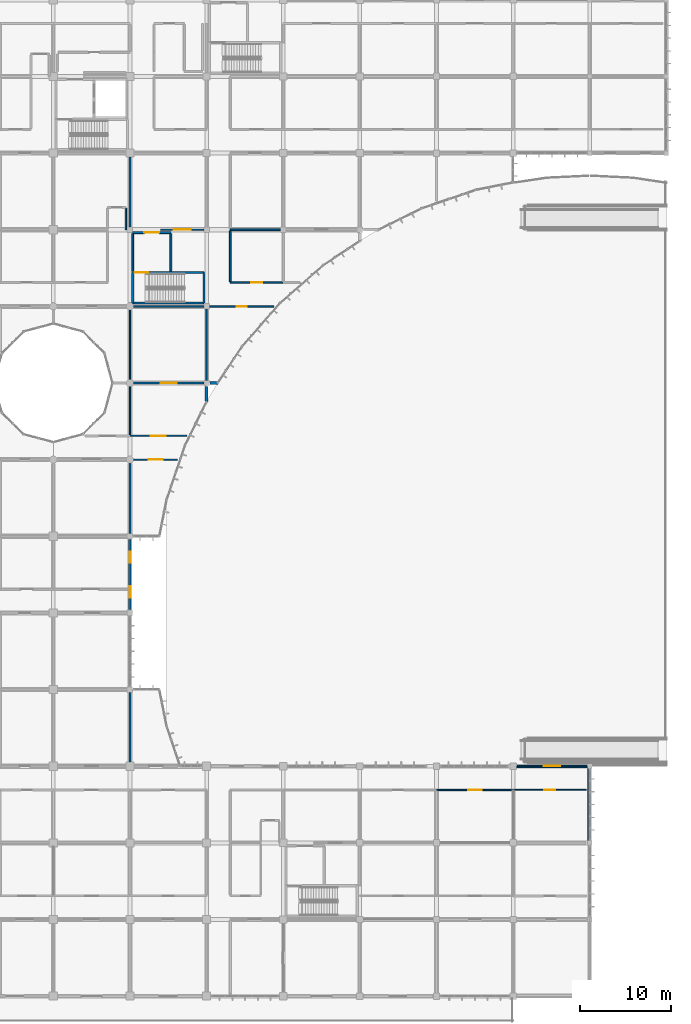
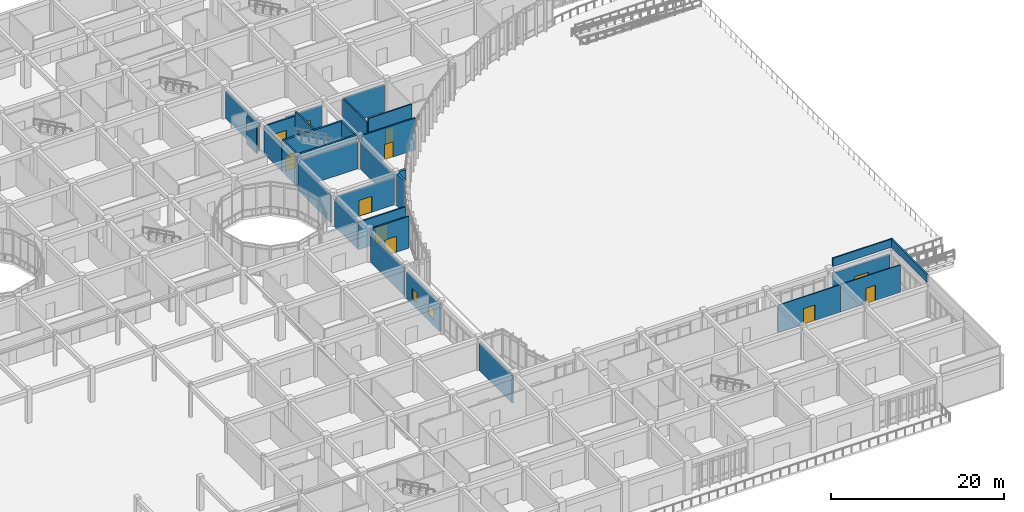
# One storey, part 109 of 138: 31 walls, 11 doors, 2 windows, 13 openings.
"""IFC4 building model written with IfcOpenShell, lengths in metres."""

from ifc_helpers import new_model, si_unit, direction, frame, frame_2d, origin, place, context, subcontext, project, spatial, rectangle, extrude, material, layer, layer_set, type_object, element, fill, save


model = new_model("IFC4")

# Units and contexts
model_context = context("Model", 3, precision=1e-05, world=origin(), true_north=direction((0.0, 1.0)))
body_context = subcontext(model_context, "Body", "Model", "MODEL_VIEW")
ifc_project = project(units=[si_unit("LENGTHUNIT", "METRE"), si_unit("AREAUNIT", "SQUARE_METRE"), si_unit("VOLUMEUNIT", "CUBIC_METRE"), si_unit("PLANEANGLEUNIT", "RADIAN"), si_unit("MASSUNIT", "GRAM", prefix="KILO")], contexts=[model_context])

# Site, building, storey
site_placement = place(None, origin())
site = spatial("IfcSite", under=ifc_project, at=site_placement, CompositionType="ELEMENT")
building_placement = place(site_placement, origin())
building = spatial("IfcBuilding", under=site, at=building_placement, Name="Bramfleet General Hospital", CompositionType="ELEMENT")
storey_placement = place(building_placement, origin())
storey = spatial("IfcBuildingStorey", under=building, at=storey_placement, Name="L00", CompositionType="ELEMENT", Elevation=0.0)

# Walls
ifc_material_1 = material(Name="Precast concrete C40/50", Category="concrete")
ifc_layer_1 = layer(ifc_material_1, 0.31494140625, Name="WT-EW-04")
ifc_layer_set_1 = layer_set([ifc_layer_1], Name="Precast concrete C40/50")
wall_type_1 = type_object("IfcWallType", Name="WT-EW-04", PredefinedType="SOLIDWALL", material=ifc_layer_set_1)
wall_1_placement = place(storey_placement, frame((135.633056640625, 67.199951171875, 0.0), z_axis=(0.0, 0.0, 1.0), x_axis=(-1.0, 0.0, 0.0)))
element("IfcWall", 1, at=wall_1_placement, inside=storey, type_object=wall_type_1, Name="L00 Exterior Wall 128", PredefinedType="SOLIDWALL", context=body_context, shape_type="SweptSolid", body=[
    extrude(rectangle(XDim=0.858154296875, YDim=0.31494140625, at=frame_2d((0.42919921875, 0.0))), origin(), (0.0, 0.0, 1.0), 4.489990234375),
])
ifc_layer_2 = layer(ifc_material_1, 0.294921875, Name="WT-EW-05")
ifc_layer_set_2 = layer_set([ifc_layer_2], Name="Precast concrete C40/50")
wall_type_2 = type_object("IfcWallType", Name="WT-EW-05", PredefinedType="SOLIDWALL", material=ifc_layer_set_2)
wall_2_placement = place(storey_placement, frame((134.39990234375, 66.824951171875, 0.0), z_axis=(0.0, 0.0, 1.0), x_axis=(0.0, -1.0, 0.0)))
element("IfcWall", 2, at=wall_2_placement, inside=storey, type_object=wall_type_2, Name="L00 Exterior Wall 129", PredefinedType="SOLIDWALL", context=body_context, shape_type="SweptSolid", body=[
    extrude(rectangle(XDim=1.698974609375, YDim=0.294921875, at=frame_2d((0.849609375, 0.0))), origin(), (0.0, 0.0, 1.0), 4.489990234375),
])

# Wall, openings, windows
ifc_layer_3 = layer(ifc_material_1, 0.280029296875, Name="WT-EW-06")
ifc_layer_set_3 = layer_set([ifc_layer_3], Name="Precast concrete C40/50")
wall_type_3 = type_object("IfcWallType", Name="WT-EW-06", PredefinedType="SOLIDWALL", material=ifc_layer_set_3)
wall_3_placement = place(storey_placement, frame((126.0, 50.02490234375, 0.0), z_axis=(0.0, 0.0, 1.0), x_axis=(0.0, -1.0, 0.0)))
wall_3 = element("IfcWall", 3, at=wall_3_placement, inside=storey, type_object=wall_type_3, Name="L00 Exterior Wall 130", PredefinedType="SOLIDWALL", context=body_context, shape_type="SweptSolid", body=[
    extrude(rectangle(XDim=7.64990234375, YDim=0.280029296875, at=frame_2d((3.824951171875, 0.0))), origin(), (0.0, 0.0, 1.0), 3.7900390625),
])
opening_1_placement = place(wall_3_placement, frame((1.3125, 0.0, 0.85009765625)))
opening_1 = element("IfcOpeningElement", 4, at=opening_1_placement, cuts=wall_3, Name="Opening W-13", PredefinedType="OPENING", context=body_context, shape_type="SweptSolid", body=[
    extrude(rectangle(XDim=1.199951171875, YDim=1.419921875, at=frame_2d((0.60009765625, 0.7099609375))), frame((0.0, 0.14990234375, 0.0), z_axis=(0.0, -1.0, 0.0), x_axis=(1.0, 0.0, 0.0)), (0.0, 0.0, 1.0), 0.300048828125),
])
opening_2_placement = place(wall_3_placement, frame((5.08740234375, 0.0, 0.85009765625)))
opening_2 = element("IfcOpeningElement", 5, at=opening_2_placement, cuts=wall_3, Name="Opening W-14", PredefinedType="OPENING", context=body_context, shape_type="SweptSolid", body=[
    extrude(rectangle(XDim=1.300048828125, YDim=1.419921875, at=frame_2d((0.64990234375, 0.7099609375))), frame((0.0, 0.14990234375, 0.0), z_axis=(0.0, -1.0, 0.0), x_axis=(1.0, 0.0, 0.0)), (0.0, 0.0, 1.0), 0.300048828125),
])
ifc_material_2 = material(Name="Anodised aluminium and low-E triple glazing", Category="aluminium")
window_type_1 = type_object("IfcWindowType", Name="WIN-W-13", PartitioningType="SINGLE_PANEL", PredefinedType="WINDOW", material=ifc_material_2)
window_1_placement = place(opening_1_placement, origin())
window_1 = element("IfcWindow", 6, at=window_1_placement, inside=storey, type_object=window_type_1, Name="L00 Facade Window WIN-L00-130-1", OverallHeight=1.419921875, OverallWidth=1.199951171875, PartitioningType="SINGLE_PANEL", PredefinedType="WINDOW", context=body_context, shape_type="SweptSolid", body=[
    extrude(rectangle(XDim=1.199951171875, YDim=1.419921875, at=frame_2d((0.60009765625, 0.7099609375))), frame((0.0, 0.030029296875, 0.0), z_axis=(0.0, -1.0, 0.0), x_axis=(1.0, 0.0, 0.0)), (0.0, 0.0, 1.0), 0.06005859375),
])
fill(opening_1, window_1)
window_type_2 = type_object("IfcWindowType", Name="WIN-W-14", PartitioningType="SINGLE_PANEL", PredefinedType="WINDOW", material=ifc_material_2)
window_2_placement = place(opening_2_placement, origin())
window_2 = element("IfcWindow", 7, at=window_2_placement, inside=storey, type_object=window_type_2, Name="L00 Facade Window WIN-L00-130-2", OverallHeight=1.419921875, OverallWidth=1.300048828125, PartitioningType="SINGLE_PANEL", PredefinedType="WINDOW", context=body_context, shape_type="SweptSolid", body=[
    extrude(rectangle(XDim=1.300048828125, YDim=1.419921875, at=frame_2d((0.64990234375, 0.7099609375))), frame((0.0, 0.030029296875, 0.0), z_axis=(0.0, -1.0, 0.0), x_axis=(1.0, 0.0, 0.0)), (0.0, 0.0, 1.0), 0.06005859375),
])
fill(opening_2, window_2)

# Wall, opening, door
ifc_layer_4 = layer(ifc_material_1, 0.235107421875, Name="WT-EW-09")
ifc_layer_set_4 = layer_set([ifc_layer_4], Name="Precast concrete C40/50")
wall_type_4 = type_object("IfcWallType", Name="WT-EW-09", PredefinedType="SOLIDWALL", material=ifc_layer_set_4)
wall_4_placement = place(storey_placement, frame((168.425048828125, 25.199951171875, 0.0), z_axis=(0.0, 0.0, 1.0), x_axis=(1.0, 0.0, 0.0)))
wall_4 = element("IfcWall", 8, at=wall_4_placement, inside=storey, type_object=wall_type_4, Name="L00 Exterior Wall 133", PredefinedType="SOLIDWALL", context=body_context, shape_type="SweptSolid", body=[
    extrude(rectangle(XDim=7.64990234375, YDim=0.235107421875, at=frame_2d((3.824951171875, 0.0))), origin(), (0.0, 0.0, 1.0), 3.7900390625),
])
opening_3_placement = place(wall_4_placement, frame((2.9150390625, 0.0, 0.0)))
opening_3 = element("IfcOpeningElement", 9, at=opening_3_placement, cuts=wall_4, Name="Opening D-L00-TER-027", PredefinedType="OPENING", context=body_context, shape_type="SweptSolid", body=[
    extrude(rectangle(XDim=1.820068359375, YDim=2.280029296875, at=frame_2d((0.91015625, 1.14013671875))), frame((0.0, 0.12744140625, 0.0), z_axis=(0.0, -1.0, 0.0), x_axis=(1.0, 0.0, 0.0)), (0.0, 0.0, 1.0), 0.255126953125),
])
ifc_material_3 = material(Name="Thermally broken steel and laminated safety glass", Category="steel")
door_type_1 = type_object("IfcDoorType", Name="DR-ED-02", OperationType="NOTDEFINED", PredefinedType="DOOR", material=ifc_material_3)
door_1_placement = place(opening_3_placement, origin())
door_1 = element("IfcDoor", 10, at=door_1_placement, inside=storey, type_object=door_type_1, Name="L00 Terrace Pedestrian Access Door D-L00-TER-027", OperationType="SINGLE_SWING_RIGHT", OverallHeight=2.280029296875, OverallWidth=1.820068359375, PredefinedType="DOOR", context=body_context, shape_type="SweptSolid", body=[
    extrude(rectangle(XDim=1.820068359375, YDim=2.280029296875, at=frame_2d((0.91015625, 1.14013671875))), frame((0.0, 0.02490234375, 0.0), z_axis=(0.0, -1.0, 0.0), x_axis=(1.0, 0.0, 0.0)), (0.0, 0.0, 1.0), 0.050048828125),
])
fill(opening_3, door_1)

# Walls
ifc_material_4 = material(Name="Concrete C35/45", Category="concrete")
ifc_layer_5 = layer(ifc_material_4, 0.205078125, Name="WT-IW-02")
ifc_layer_set_5 = layer_set([ifc_layer_5], Name="Concrete C35/45")
wall_type_5 = type_object("IfcWallType", Name="WT-IW-02", PredefinedType="PARTITIONING", material=ifc_layer_set_5)
wall_5_placement = place(storey_placement, frame((130.47998046875, 79.43994140625, 0.0), z_axis=(0.0, 0.0, 1.0), x_axis=(0.0, 1.0, 0.0)))
element("IfcWall", 11, at=wall_5_placement, inside=storey, type_object=wall_type_5, Name="L00 C12 Lobby East Shaft Wall", PredefinedType="PARTITIONING", context=body_context, shape_type="SweptSolid", body=[
    extrude(rectangle(XDim=4.1201171875, YDim=0.205078125, at=frame_2d((2.06005859375, 0.0))), origin(), (0.0, 0.0, 1.0), 4.489990234375),
])
wall_6_placement = place(storey_placement, frame((126.300048828125, 79.43994140625, 0.0), z_axis=(0.0, 0.0, 1.0), x_axis=(0.0, 1.0, 0.0)))
element("IfcWall", 12, at=wall_6_placement, inside=storey, type_object=wall_type_5, Name="L00 C12 Lobby West Compartment Wall", PredefinedType="PARTITIONING", context=body_context, shape_type="SweptSolid", body=[
    extrude(rectangle(XDim=4.1201171875, YDim=0.205078125, at=frame_2d((2.06005859375, 0.0))), origin(), (0.0, 0.0, 1.0), 3.889892578125),
])

# Wall, opening, door
wall_7_placement = place(storey_placement, frame((126.300048828125, 83.679931640625, 0.0), z_axis=(0.0, 0.0, 1.0), x_axis=(1.0, 0.0, 0.0)))
wall_7 = element("IfcWall", 13, at=wall_7_placement, inside=storey, type_object=wall_type_5, Name="L00 C12 Lobby North Compartment Wall", PredefinedType="PARTITIONING", context=body_context, shape_type="SweptSolid", body=[
    extrude(rectangle(XDim=4.179931640625, YDim=0.205078125, at=frame_2d((2.08984375, 0.0))), origin(), (0.0, 0.0, 1.0), 3.840087890625),
])
opening_4_placement = place(wall_7_placement, frame((1.2900390625, 0.0, 0.0)))
opening_4 = element("IfcOpeningElement", 14, at=opening_4_placement, cuts=wall_7, Name="Opening D0158", PredefinedType="OPENING", context=body_context, shape_type="SweptSolid", body=[
    extrude(rectangle(XDim=1.60009765625, YDim=2.25, at=frame_2d((0.800048828125, 1.125))), frame((0.0, 0.112548828125, 0.0), z_axis=(0.0, -1.0, 0.0), x_axis=(1.0, 0.0, 0.0)), (0.0, 0.0, 1.0), 0.22509765625),
])
ifc_material_5 = material(Name="Stainless steel and acoustic timber leaf", Category="steel")
door_type_2 = type_object("IfcDoorType", Name="DR-D-04", OperationType="NOTDEFINED", PredefinedType="DOOR", material=ifc_material_5)
door_2_placement = place(opening_4_placement, origin())
door_2 = element("IfcDoor", 15, at=door_2_placement, inside=storey, type_object=door_type_2, Name="L00 C12 Lobby Fire Door D0158", OperationType="DOUBLE_SWING_LEFT", OverallHeight=2.25, OverallWidth=1.60009765625, PredefinedType="DOOR", context=body_context, shape_type="SweptSolid", body=[
    extrude(rectangle(XDim=1.60009765625, YDim=2.25, at=frame_2d((0.800048828125, 1.125))), frame((0.0, 0.02490234375, 0.0), z_axis=(0.0, -1.0, 0.0), x_axis=(1.0, 0.0, 0.0)), (0.0, 0.0, 1.0), 0.050048828125),
])
fill(opening_4, door_2)

ifc_layer_6 = layer(ifc_material_4, 0.179931640625, Name="WT-IW-04")
ifc_layer_set_6 = layer_set([ifc_layer_6], Name="Concrete C35/45")
wall_type_6 = type_object("IfcWallType", Name="WT-IW-04", PredefinedType="PARTITIONING", material=ifc_layer_set_6)
wall_8_placement = place(storey_placement, frame((126.39501953125, 58.800048828125, 0.0), z_axis=(0.0, 0.0, 1.0), x_axis=(1.0, 0.0, 0.0)))
wall_8 = element("IfcWall", 16, at=wall_8_placement, inside=storey, type_object=wall_type_6, Name="L00 Interior Partition IW-L00-0719", PredefinedType="PARTITIONING", context=body_context, shape_type="SweptSolid", body=[
    extrude(rectangle(XDim=4.830810546875, YDim=0.179931640625, at=frame_2d((2.41552734375, 0.0))), origin(), (0.0, 0.0, 1.0), 4.489990234375),
])
opening_5_placement = place(wall_8_placement, frame((1.6455078125, 0.0, 0.0)))
opening_5 = element("IfcOpeningElement", 17, at=opening_5_placement, cuts=wall_8, Name="Opening D0561", PredefinedType="OPENING", context=body_context, shape_type="SweptSolid", body=[
    extrude(rectangle(XDim=1.5400390625, YDim=2.239990234375, at=frame_2d((0.77001953125, 1.1201171875))), frame((0.0, 0.099853515625, 0.0), z_axis=(0.0, -1.0, 0.0), x_axis=(1.0, 0.0, 0.0)), (0.0, 0.0, 1.0), 0.199951171875),
])
door_type_3 = type_object("IfcDoorType", Name="DR-D-17", OperationType="NOTDEFINED", PredefinedType="DOOR", material=ifc_material_5)
door_3_placement = place(opening_5_placement, origin())
door_3 = element("IfcDoor", 18, at=door_3_placement, inside=storey, type_object=door_type_3, Name="Diagnostic Ultrasound and Fluoroscopy 1506 Door D0561", OperationType="SINGLE_SWING_RIGHT", OverallHeight=2.239990234375, OverallWidth=1.5400390625, PredefinedType="DOOR", context=body_context, shape_type="SweptSolid", body=[
    extrude(rectangle(XDim=1.5400390625, YDim=2.239990234375, at=frame_2d((0.77001953125, 1.1201171875))), frame((0.0, 0.02490234375, 0.0), z_axis=(0.0, -1.0, 0.0), x_axis=(1.0, 0.0, 0.0)), (0.0, 0.0, 1.0), 0.050048828125),
])
fill(opening_5, door_3)

wall_9_placement = place(storey_placement, frame((126.0, 61.39990234375, 0.0), z_axis=(0.0, 0.0, 1.0), x_axis=(1.0, 0.0, 0.0)))
wall_9 = element("IfcWall", 19, at=wall_9_placement, inside=storey, type_object=wall_type_6, Name="L00 Interior Partition IW-L00-0734", PredefinedType="PARTITIONING", context=body_context, shape_type="SweptSolid", body=[
    extrude(rectangle(XDim=6.250244140625, YDim=0.179931640625, at=frame_2d((3.125, 0.0))), origin(), (0.0, 0.0, 1.0), 3.889892578125),
])
opening_6_placement = place(wall_9_placement, frame((2.30517578125, 0.0, 0.0)))
opening_6 = element("IfcOpeningElement", 20, at=opening_6_placement, cuts=wall_9, Name="Opening D0562", PredefinedType="OPENING", context=body_context, shape_type="SweptSolid", body=[
    extrude(rectangle(XDim=1.639892578125, YDim=2.280029296875, at=frame_2d((0.81982421875, 1.14013671875))), frame((0.0, 0.099853515625, 0.0), z_axis=(0.0, -1.0, 0.0), x_axis=(1.0, 0.0, 0.0)), (0.0, 0.0, 1.0), 0.199951171875),
])
door_type_4 = type_object("IfcDoorType", Name="DR-D-18", OperationType="NOTDEFINED", PredefinedType="DOOR", material=ifc_material_5)
door_4_placement = place(opening_6_placement, origin())
door_4 = element("IfcDoor", 21, at=door_4_placement, inside=storey, type_object=door_type_4, Name="Diagnostic Ultrasound and Fluoroscopy 1507 Door D0562", OperationType="DOUBLE_SWING_LEFT", OverallHeight=2.280029296875, OverallWidth=1.639892578125, PredefinedType="DOOR", context=body_context, shape_type="SweptSolid", body=[
    extrude(rectangle(XDim=1.639892578125, YDim=2.280029296875, at=frame_2d((0.81982421875, 1.14013671875))), frame((0.0, 0.02490234375, 0.0), z_axis=(0.0, -1.0, 0.0), x_axis=(1.0, 0.0, 0.0)), (0.0, 0.0, 1.0), 0.050048828125),
])
fill(opening_6, door_4)

wall_10_placement = place(storey_placement, frame((126.39501953125, 67.199951171875, 0.0), z_axis=(0.0, 0.0, 1.0), x_axis=(1.0, 0.0, 0.0)))
wall_10 = element("IfcWall", 22, at=wall_10_placement, inside=storey, type_object=wall_type_6, Name="L00 Interior Partition IW-L00-0749", PredefinedType="PARTITIONING", context=body_context, shape_type="SweptSolid", body=[
    extrude(rectangle(XDim=7.7099609375, YDim=0.179931640625, at=frame_2d((3.85498046875, 0.0))), origin(), (0.0, 0.0, 1.0), 3.840087890625),
])
opening_7_placement = place(wall_10_placement, frame((2.985107421875, 0.0, 0.0)))
opening_7 = element("IfcOpeningElement", 23, at=opening_7_placement, cuts=wall_10, Name="Opening D0563", PredefinedType="OPENING", context=body_context, shape_type="SweptSolid", body=[
    extrude(rectangle(XDim=1.739990234375, YDim=2.239990234375, at=frame_2d((0.8701171875, 1.1201171875))), frame((0.0, 0.099853515625, 0.0), z_axis=(0.0, -1.0, 0.0), x_axis=(1.0, 0.0, 0.0)), (0.0, 0.0, 1.0), 0.199951171875),
])
door_type_5 = type_object("IfcDoorType", Name="DR-D-19", OperationType="NOTDEFINED", PredefinedType="DOOR", material=ifc_material_5)
door_5_placement = place(opening_7_placement, origin())
door_5 = element("IfcDoor", 24, at=door_5_placement, inside=storey, type_object=door_type_5, Name="Diagnostic Ultrasound and Fluoroscopy 1508 Door D0563", OperationType="DOUBLE_SWING_RIGHT", OverallHeight=2.239990234375, OverallWidth=1.739990234375, PredefinedType="DOOR", context=body_context, shape_type="SweptSolid", body=[
    extrude(rectangle(XDim=1.739990234375, YDim=2.239990234375, at=frame_2d((0.8701171875, 1.1201171875))), frame((0.0, 0.02490234375, 0.0), z_axis=(0.0, -1.0, 0.0), x_axis=(1.0, 0.0, 0.0)), (0.0, 0.0, 1.0), 0.050048828125),
])
fill(opening_7, door_5)

# Wall
wall_11_placement = place(storey_placement, frame((126.39501953125, 75.60009765625, 0.0), z_axis=(0.0, 0.0, 1.0), x_axis=(1.0, 0.0, 0.0)))
element("IfcWall", 25, at=wall_11_placement, inside=storey, type_object=wall_type_6, Name="L00 Interior Partition IW-L00-0762", PredefinedType="PARTITIONING", context=body_context, shape_type="SweptSolid", body=[
    extrude(rectangle(XDim=7.7099609375, YDim=0.179931640625, at=frame_2d((3.85498046875, 0.0))), origin(), (0.0, 0.0, 1.0), 3.840087890625),
])

# Wall, opening, door
wall_12_placement = place(storey_placement, frame((134.695068359375, 75.60009765625, 0.0), z_axis=(0.0, 0.0, 1.0), x_axis=(1.0, 0.0, 0.0)))
wall_12 = element("IfcWall", 26, at=wall_12_placement, inside=storey, type_object=wall_type_6, Name="L00 Interior Partition IW-L00-0763", PredefinedType="PARTITIONING", context=body_context, shape_type="SweptSolid", body=[
    extrude(rectangle(XDim=7.092529296875, YDim=0.179931640625, at=frame_2d((3.54638671875, 0.0))), origin(), (0.0, 0.0, 1.0), 4.489990234375),
])
opening_8_placement = place(wall_12_placement, frame((2.986328125, 0.0, 0.0)))
opening_8 = element("IfcOpeningElement", 27, at=opening_8_placement, cuts=wall_12, Name="Opening D0571", PredefinedType="OPENING", context=body_context, shape_type="SweptSolid", body=[
    extrude(rectangle(XDim=1.1201171875, YDim=2.179931640625, at=frame_2d((0.56005859375, 1.08984375))), frame((0.0, 0.099853515625, 0.0), z_axis=(0.0, -1.0, 0.0), x_axis=(1.0, 0.0, 0.0)), (0.0, 0.0, 1.0), 0.199951171875),
])
door_type_6 = type_object("IfcDoorType", Name="DR-D-27", OperationType="NOTDEFINED", PredefinedType="DOOR", material=ifc_material_5)
door_6_placement = place(opening_8_placement, origin())
door_6 = element("IfcDoor", 28, at=door_6_placement, inside=storey, type_object=door_type_6, Name="Diagnostic Ultrasound and Fluoroscopy 1608 Door D0571", OperationType="SINGLE_SWING_RIGHT", OverallHeight=2.179931640625, OverallWidth=1.1201171875, PredefinedType="DOOR", context=body_context, shape_type="SweptSolid", body=[
    extrude(rectangle(XDim=1.1201171875, YDim=2.179931640625, at=frame_2d((0.56005859375, 1.08984375))), frame((0.0, 0.02490234375, 0.0), z_axis=(0.0, -1.0, 0.0), x_axis=(1.0, 0.0, 0.0)), (0.0, 0.0, 1.0), 0.050048828125),
])
fill(opening_8, door_6)

wall_13_placement = place(storey_placement, frame((137.0, 78.199951171875, 0.0), z_axis=(0.0, 0.0, 1.0), x_axis=(1.0, 0.0, 0.0)))
wall_13 = element("IfcWall", 29, at=wall_13_placement, inside=storey, type_object=wall_type_6, Name="L00 Interior Partition IW-L00-0779", PredefinedType="PARTITIONING", context=body_context, shape_type="SweptSolid", body=[
    extrude(rectangle(XDim=5.800048828125, YDim=0.179931640625, at=frame_2d((2.89990234375, 0.0))), origin(), (0.0, 0.0, 1.0), 4.489990234375),
])
opening_9_placement = place(wall_13_placement, frame((2.31005859375, 0.0, 0.0)))
opening_9 = element("IfcOpeningElement", 30, at=opening_9_placement, cuts=wall_13, Name="Opening D0572", PredefinedType="OPENING", context=body_context, shape_type="SweptSolid", body=[
    extrude(rectangle(XDim=1.179931640625, YDim=2.179931640625, at=frame_2d((0.58984375, 1.08984375))), frame((0.0, 0.099853515625, 0.0), z_axis=(0.0, -1.0, 0.0), x_axis=(1.0, 0.0, 0.0)), (0.0, 0.0, 1.0), 0.199951171875),
])
door_type_7 = type_object("IfcDoorType", Name="DR-D-28", OperationType="NOTDEFINED", PredefinedType="DOOR", material=ifc_material_5)
door_7_placement = place(opening_9_placement, origin())
door_7 = element("IfcDoor", 31, at=door_7_placement, inside=storey, type_object=door_type_7, Name="Diagnostic Ultrasound and Fluoroscopy 1609 Door D0572", OperationType="SINGLE_SWING_LEFT", OverallHeight=2.179931640625, OverallWidth=1.179931640625, PredefinedType="DOOR", context=body_context, shape_type="SweptSolid", body=[
    extrude(rectangle(XDim=1.179931640625, YDim=2.179931640625, at=frame_2d((0.58984375, 1.08984375))), frame((0.0, 0.02490234375, 0.0), z_axis=(0.0, -1.0, 0.0), x_axis=(1.0, 0.0, 0.0)), (0.0, 0.0, 1.0), 0.050048828125),
])
fill(opening_9, door_7)

wall_14_placement = place(storey_placement, frame((129.35009765625, 84.0, 0.0), z_axis=(0.0, 0.0, 1.0), x_axis=(1.0, 0.0, 0.0)))
wall_14 = element("IfcWall", 32, at=wall_14_placement, inside=storey, type_object=wall_type_6, Name="L00 Interior Partition IW-L00-0796", PredefinedType="PARTITIONING", context=body_context, shape_type="SweptSolid", body=[
    extrude(rectangle(XDim=4.7548828125, YDim=0.179931640625, at=frame_2d((2.37744140625, 0.0))), origin(), (0.0, 0.0, 1.0), 3.840087890625),
])
opening_10_placement = place(wall_14_placement, frame((1.45751953125, 0.0, 0.0)))
opening_10 = element("IfcOpeningElement", 33, at=opening_10_placement, cuts=wall_14, Name="Opening D0564", PredefinedType="OPENING", context=body_context, shape_type="SweptSolid", body=[
    extrude(rectangle(XDim=1.840087890625, YDim=2.280029296875, at=frame_2d((0.919921875, 1.14013671875))), frame((0.0, 0.099853515625, 0.0), z_axis=(0.0, -1.0, 0.0), x_axis=(1.0, 0.0, 0.0)), (0.0, 0.0, 1.0), 0.199951171875),
])
door_type_8 = type_object("IfcDoorType", Name="DR-D-20", OperationType="NOTDEFINED", PredefinedType="DOOR", material=ifc_material_5)
door_8_placement = place(opening_10_placement, origin())
door_8 = element("IfcDoor", 34, at=door_8_placement, inside=storey, type_object=door_type_8, Name="Diagnostic Ultrasound and Fluoroscopy 1510 Door D0564", OperationType="DOUBLE_SWING_LEFT", OverallHeight=2.280029296875, OverallWidth=1.840087890625, PredefinedType="DOOR", context=body_context, shape_type="SweptSolid", body=[
    extrude(rectangle(XDim=1.840087890625, YDim=2.280029296875, at=frame_2d((0.919921875, 1.14013671875))), frame((0.0, 0.02490234375, 0.0), z_axis=(0.0, -1.0, 0.0), x_axis=(1.0, 0.0, 0.0)), (0.0, 0.0, 1.0), 0.050048828125),
])
fill(opening_10, door_8)

# Walls
wall_15_placement = place(storey_placement, frame((137.0, 84.0, 0.0), z_axis=(0.0, 0.0, 1.0), x_axis=(1.0, 0.0, 0.0)))
element("IfcWall", 35, at=wall_15_placement, inside=storey, type_object=wall_type_6, Name="L00 Interior Partition IW-L00-0797", PredefinedType="PARTITIONING", context=body_context, shape_type="SweptSolid", body=[
    extrude(rectangle(XDim=5.5048828125, YDim=0.179931640625, at=frame_2d((2.75244140625, 0.0))), origin(), (0.0, 0.0, 1.0), 3.840087890625),
])
wall_16_placement = place(storey_placement, frame((125.550048828125, 84.0, 0.0), z_axis=(0.0, 0.0, 1.0), x_axis=(0.0, 1.0, 0.0)))
element("IfcWall", 36, at=wall_16_placement, inside=storey, type_object=wall_type_6, Name="L00 Interior Partition IW-L00-1130", PredefinedType="PARTITIONING", context=body_context, shape_type="SweptSolid", body=[
    extrude(rectangle(XDim=2.3349609375, YDim=0.179931640625, at=frame_2d((1.16748046875, 0.0))), origin(), (0.0, 0.0, 1.0), 3.840087890625),
])
wall_17_placement = place(storey_placement, frame((126.0, 25.64501953125, 0.0), z_axis=(0.0, 0.0, 1.0), x_axis=(0.0, 1.0, 0.0)))
element("IfcWall", 37, at=wall_17_placement, inside=storey, type_object=wall_type_6, Name="L00 Interior Partition IW-L00-1134", PredefinedType="PARTITIONING", context=body_context, shape_type="SweptSolid", body=[
    extrude(rectangle(XDim=7.659912109375, YDim=0.179931640625, at=frame_2d((3.830078125, 0.0))), origin(), (0.0, 0.0, 1.0), 3.889892578125),
])
wall_18_placement = place(storey_placement, frame((126.0, 50.695068359375, 0.0), z_axis=(0.0, 0.0, 1.0), x_axis=(0.0, 1.0, 0.0)))
element("IfcWall", 38, at=wall_18_placement, inside=storey, type_object=wall_type_6, Name="L00 Interior Partition IW-L00-1135", PredefinedType="PARTITIONING", context=body_context, shape_type="SweptSolid", body=[
    extrude(rectangle(XDim=7.7099609375, YDim=0.179931640625, at=frame_2d((3.85498046875, 0.0))), origin(), (0.0, 0.0, 1.0), 3.889892578125),
])
wall_19_placement = place(storey_placement, frame((126.0, 84.294921875, 0.0), z_axis=(0.0, 0.0, 1.0), x_axis=(0.0, 1.0, 0.0)))
element("IfcWall", 39, at=wall_19_placement, inside=storey, type_object=wall_type_6, Name="L00 Interior Partition IW-L00-1138", PredefinedType="PARTITIONING", context=body_context, shape_type="SweptSolid", body=[
    extrude(rectangle(XDim=7.66015625, YDim=0.179931640625, at=frame_2d((3.830078125, 0.0))), origin(), (0.0, 0.0, 1.0), 3.889892578125),
])
wall_20_placement = place(storey_placement, frame((134.39990234375, 67.4951171875, 0.0), z_axis=(0.0, 0.0, 1.0), x_axis=(0.0, 1.0, 0.0)))
element("IfcWall", 40, at=wall_20_placement, inside=storey, type_object=wall_type_6, Name="L00 Interior Partition IW-L00-1149", PredefinedType="PARTITIONING", context=body_context, shape_type="SweptSolid", body=[
    extrude(rectangle(XDim=7.809814453125, YDim=0.179931640625, at=frame_2d((3.90478515625, 0.0))), origin(), (0.0, 0.0, 1.0), 3.889892578125),
])
wall_21_placement = place(storey_placement, frame((137.0, 78.31494140625, 0.0), z_axis=(0.0, 0.0, 1.0), x_axis=(0.0, 1.0, 0.0)))
element("IfcWall", 41, at=wall_21_placement, inside=storey, type_object=wall_type_6, Name="L00 Interior Partition IW-L00-1157", PredefinedType="PARTITIONING", context=body_context, shape_type="SweptSolid", body=[
    extrude(rectangle(XDim=5.570068359375, YDim=0.179931640625, at=frame_2d((2.78515625, 0.0))), origin(), (0.0, 0.0, 1.0), 3.840087890625),
])
ifc_material_6 = material(Name="Gypsum plasterboard on acoustic steel studs", Category="steel")
ifc_layer_7 = layer(ifc_material_6, 0.139892578125, Name="WT-IW-08")
ifc_layer_set_7 = layer_set([ifc_layer_7], Name="Gypsum plasterboard on acoustic steel studs")
wall_type_7 = type_object("IfcWallType", Name="WT-IW-08", PredefinedType="PARTITIONING", material=ifc_layer_set_7)
wall_22_placement = place(storey_placement, frame((126.0, 61.514892578125, 0.0), z_axis=(0.0, 0.0, 1.0), x_axis=(0.0, 1.0, 0.0)))
element("IfcWall", 42, at=wall_22_placement, inside=storey, type_object=wall_type_7, Name="L00 Interior Partition IW-L00-1136", PredefinedType="PARTITIONING", context=body_context, shape_type="SweptSolid", body=[
    extrude(rectangle(XDim=5.2900390625, YDim=0.139892578125, at=frame_2d((2.64501953125, 0.0))), origin(), (0.0, 0.0, 1.0), 3.889892578125),
])

# Wall, opening, door
ifc_layer_8 = layer(ifc_material_6, 0.1298828125, Name="WT-IW-09")
ifc_layer_set_8 = layer_set([ifc_layer_8], Name="Gypsum plasterboard on acoustic steel studs")
wall_type_8 = type_object("IfcWallType", Name="WT-IW-09", PredefinedType="PARTITIONING", material=ifc_layer_set_8)
wall_23_placement = place(storey_placement, frame((159.60009765625, 22.60009765625, 0.0), z_axis=(0.0, 0.0, 1.0), x_axis=(1.0, 0.0, 0.0)))
wall_23 = element("IfcWall", 43, at=wall_23_placement, inside=storey, type_object=wall_type_8, Name="L00 Interior Partition IW-L00-0657", PredefinedType="PARTITIONING", context=body_context, shape_type="SweptSolid", body=[
    extrude(rectangle(XDim=8.39990234375, YDim=0.1298828125, at=frame_2d((4.199951171875, 0.0))), origin(), (0.0, 0.0, 1.0), 3.889892578125),
])
opening_11_placement = place(wall_23_placement, frame((3.4599609375, 0.0, 0.0)))
opening_11 = element("IfcOpeningElement", 44, at=opening_11_placement, cuts=wall_23, Name="Opening D0592", PredefinedType="OPENING", context=body_context, shape_type="SweptSolid", body=[
    extrude(rectangle(XDim=1.47998046875, YDim=2.219970703125, at=frame_2d((0.739990234375, 1.10986328125))), frame((0.0, 0.074951171875, 0.0), z_axis=(0.0, -1.0, 0.0), x_axis=(1.0, 0.0, 0.0)), (0.0, 0.0, 1.0), 0.14990234375),
])
door_type_9 = type_object("IfcDoorType", Name="DR-D-16", OperationType="NOTDEFINED", PredefinedType="DOOR", material=ifc_material_5)
door_9_placement = place(opening_11_placement, origin())
door_9 = element("IfcDoor", 45, at=door_9_placement, inside=storey, type_object=door_type_9, Name="Outpatient Clinic Room L00-1902 Door D0592", OperationType="SINGLE_SWING_LEFT", OverallHeight=2.219970703125, OverallWidth=1.47998046875, PredefinedType="DOOR", context=body_context, shape_type="SweptSolid", body=[
    extrude(rectangle(XDim=1.47998046875, YDim=2.219970703125, at=frame_2d((0.739990234375, 1.10986328125))), frame((0.0, 0.02490234375, 0.0), z_axis=(0.0, -1.0, 0.0), x_axis=(1.0, 0.0, 0.0)), (0.0, 0.0, 1.0), 0.050048828125),
])
fill(opening_11, door_9)

# Wall
wall_24_placement = place(storey_placement, frame((126.0, 67.594970703125, 0.0), z_axis=(0.0, 0.0, 1.0), x_axis=(0.0, 1.0, 0.0)))
element("IfcWall", 46, at=wall_24_placement, inside=storey, type_object=wall_type_8, Name="L00 Interior Partition IW-L00-1137", PredefinedType="PARTITIONING", context=body_context, shape_type="SweptSolid", body=[
    extrude(rectangle(XDim=7.610107421875, YDim=0.1298828125, at=frame_2d((3.80517578125, 0.0))), origin(), (0.0, 0.0, 1.0), 3.889892578125),
])

# Wall, opening, door
ifc_layer_9 = layer(ifc_material_6, 0.1201171875, Name="WT-IW-10")
ifc_layer_set_9 = layer_set([ifc_layer_9], Name="Gypsum plasterboard on acoustic steel studs")
wall_type_9 = type_object("IfcWallType", Name="WT-IW-10", PredefinedType="PARTITIONING", material=ifc_layer_set_9)
wall_25_placement = place(storey_placement, frame((168.0, 22.60009765625, 0.0), z_axis=(0.0, 0.0, 1.0), x_axis=(1.0, 0.0, 0.0)))
wall_25 = element("IfcWall", 47, at=wall_25_placement, inside=storey, type_object=wall_type_9, Name="L00 Interior Partition IW-L00-0658", PredefinedType="PARTITIONING", context=body_context, shape_type="SweptSolid", body=[
    extrude(rectangle(XDim=8.010009765625, YDim=0.1201171875, at=frame_2d((4.0048828125, 0.0))), origin(), (0.0, 0.0, 1.0), 3.889892578125),
])
opening_12_placement = place(wall_25_placement, frame((3.39501953125, 0.0, 0.0)))
opening_12 = element("IfcOpeningElement", 48, at=opening_12_placement, cuts=wall_25, Name="Opening D0599", PredefinedType="OPENING", context=body_context, shape_type="SweptSolid", body=[
    extrude(rectangle(XDim=1.219970703125, YDim=2.179931640625, at=frame_2d((0.60986328125, 1.08984375))), frame((0.0, 0.070068359375, 0.0), z_axis=(0.0, -1.0, 0.0), x_axis=(1.0, 0.0, 0.0)), (0.0, 0.0, 1.0), 0.14013671875),
])
door_type_10 = type_object("IfcDoorType", Name="DR-D-23", OperationType="NOTDEFINED", PredefinedType="DOOR", material=ifc_material_5)
door_10_placement = place(opening_12_placement, origin())
door_10 = element("IfcDoor", 49, at=door_10_placement, inside=storey, type_object=door_type_10, Name="Outpatient Clinic Room L00-2002 Door D0599", OperationType="SINGLE_SWING_RIGHT", OverallHeight=2.179931640625, OverallWidth=1.219970703125, PredefinedType="DOOR", context=body_context, shape_type="SweptSolid", body=[
    extrude(rectangle(XDim=1.219970703125, YDim=2.179931640625, at=frame_2d((0.60986328125, 1.08984375))), frame((0.0, 0.02490234375, 0.0), z_axis=(0.0, -1.0, 0.0), x_axis=(1.0, 0.0, 0.0)), (0.0, 0.0, 1.0), 0.050048828125),
])
fill(opening_12, door_10)

# Walls
ifc_layer_10 = layer(ifc_material_1, 0.199951171875, Name="WT-PW-01")
ifc_layer_set_10 = layer_set([ifc_layer_10], Name="Precast concrete C40/50")
wall_type_10 = type_object("IfcWallType", Name="WT-PW-01", PredefinedType="PARAPET", material=ifc_layer_set_10)
wall_26_placement = place(storey_placement, frame((176.2900390625, 25.199951171875, 4.780029296875), z_axis=(0.0, 0.0, 1.0), x_axis=(0.0, -1.0, 0.0)))
element("IfcWall", 50, at=wall_26_placement, inside=storey, type_object=wall_type_10, Name="Roof Parapet Wall 85", PredefinedType="PARAPET", context=body_context, shape_type="SweptSolid", body=[
    extrude(rectangle(XDim=8.39990234375, YDim=0.199951171875, at=frame_2d((4.199951171875, 0.0))), origin(), (0.0, 0.0, 1.0), 1.169921875),
])
ifc_layer_11 = layer(ifc_material_1, 0.169921875, Name="WT-PW-03")
ifc_layer_set_11 = layer_set([ifc_layer_11], Name="Precast concrete C40/50")
wall_type_11 = type_object("IfcWallType", Name="WT-PW-03", PredefinedType="PARAPET", material=ifc_layer_set_11)
wall_27_placement = place(storey_placement, frame((168.3798828125, 25.10498046875, 4.780029296875), z_axis=(0.0, 0.0, 1.0), x_axis=(1.0, 0.0, 0.0)))
element("IfcWall", 51, at=wall_27_placement, inside=storey, type_object=wall_type_11, Name="Roof Parapet Wall 84", PredefinedType="PARAPET", context=body_context, shape_type="SweptSolid", body=[
    extrude(rectangle(XDim=8.02001953125, YDim=0.169921875, at=frame_2d((4.010009765625, 0.0))), origin(), (0.0, 0.0, 1.0), 1.169921875),
])
ifc_material_7 = material(Name="Concrete C40/50", Category="concrete")
ifc_layer_12 = layer(ifc_material_7, 0.239990234375, Name="WT-SW-240")
ifc_layer_set_12 = layer_set([ifc_layer_12], Name="Concrete C40/50")
wall_type_12 = type_object("IfcWallType", Name="WT-SW-240", PredefinedType="SHEAR", material=ifc_layer_set_12)
wall_28_placement = place(storey_placement, frame((126.300048828125, 75.97998046875, 0.0), z_axis=(0.0, 0.0, 1.0), x_axis=(1.0, 0.0, 0.0)))
element("IfcWall", 52, at=wall_28_placement, inside=storey, type_object=wall_type_12, Name="L00 C12 South Stair Shear Wall", PredefinedType="SHEAR", context=body_context, shape_type="SweptSolid", body=[
    extrude(rectangle(XDim=7.820068359375, YDim=0.239990234375, at=frame_2d((3.91015625, 0.0))), origin(), (0.0, 0.0, 1.0), 4.5),
])
for number, where, z_axis, x_axis, name in (
    (53, (126.300048828125, 75.97998046875, 0.0), (0.0, 0.0, 1.0), (0.0, 1.0, 0.0), "L00 C12 West Stair Shear Wall"),
    (54, (134.1201171875, 75.97998046875, 0.0), (0.0, 0.0, 1.0), (0.0, 1.0, 0.0), "L00 C12 East Stair Shear Wall"),
):
    element("IfcWall", number, at=place(storey_placement, frame(where, z_axis=z_axis, x_axis=x_axis)), inside=storey, type_object=wall_type_12, Name=name, PredefinedType="SHEAR", context=body_context, shape_type="SweptSolid", body=[
        extrude(rectangle(XDim=3.320068359375, YDim=0.239990234375, at=frame_2d((1.66015625, 0.0))), origin(), (0.0, 0.0, 1.0), 4.5),
    ])

# Wall, opening, door
wall_29_placement = place(storey_placement, frame((126.300048828125, 79.300048828125, 0.0), z_axis=(0.0, 0.0, 1.0), x_axis=(1.0, 0.0, 0.0)))
wall_29 = element("IfcWall", 55, at=wall_29_placement, inside=storey, type_object=wall_type_12, Name="L00 C12 Stair-Lobby Shear Wall", PredefinedType="SHEAR", context=body_context, shape_type="SweptSolid", body=[
    extrude(rectangle(XDim=7.820068359375, YDim=0.239990234375, at=frame_2d((3.91015625, 0.0))), origin(), (0.0, 0.0, 1.0), 4.5),
])
opening_13_placement = place(wall_29_placement, frame((0.25, 0.0, 0.0)))
opening_13 = element("IfcOpeningElement", 56, at=opening_13_placement, cuts=wall_29, Name="Opening D0157", PredefinedType="OPENING", context=body_context, shape_type="SweptSolid", body=[
    extrude(rectangle(XDim=1.449951171875, YDim=2.199951171875, at=frame_2d((0.72509765625, 1.10009765625))), frame((0.0, 0.1298828125, 0.0), z_axis=(0.0, -1.0, 0.0), x_axis=(1.0, 0.0, 0.0)), (0.0, 0.0, 1.0), 0.260009765625),
])
door_type_11 = type_object("IfcDoorType", Name="DR-D-03", OperationType="NOTDEFINED", PredefinedType="DOOR", material=ifc_material_5)
door_11_placement = place(opening_13_placement, origin())
door_11 = element("IfcDoor", 57, at=door_11_placement, inside=storey, type_object=door_type_11, Name="L00 C12 Escape Stair Fire Door D0157", OperationType="SINGLE_SWING_RIGHT", OverallHeight=2.199951171875, OverallWidth=1.449951171875, PredefinedType="DOOR", context=body_context, shape_type="SweptSolid", body=[
    extrude(rectangle(XDim=1.449951171875, YDim=2.199951171875, at=frame_2d((0.72509765625, 1.10009765625))), frame((0.0, 0.02490234375, 0.0), z_axis=(0.0, -1.0, 0.0), x_axis=(1.0, 0.0, 0.0)), (0.0, 0.0, 1.0), 0.050048828125),
])
fill(opening_13, door_11)

save(model, "model.ifc")
